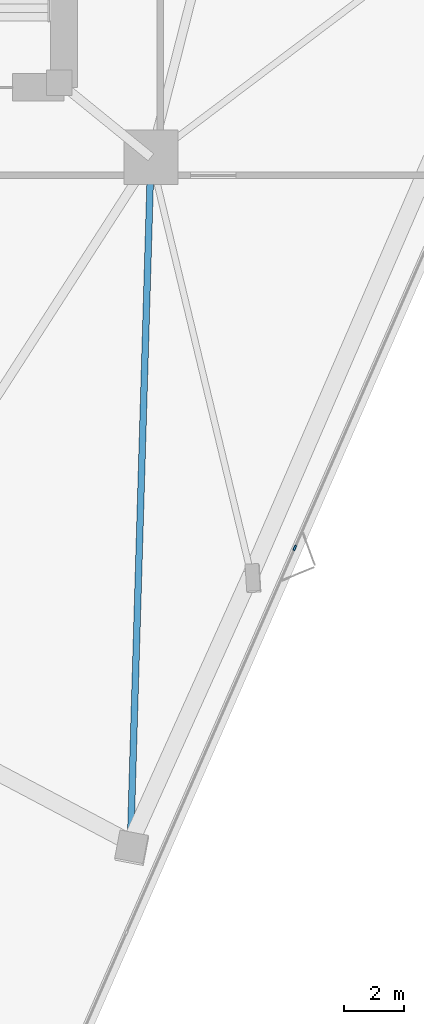
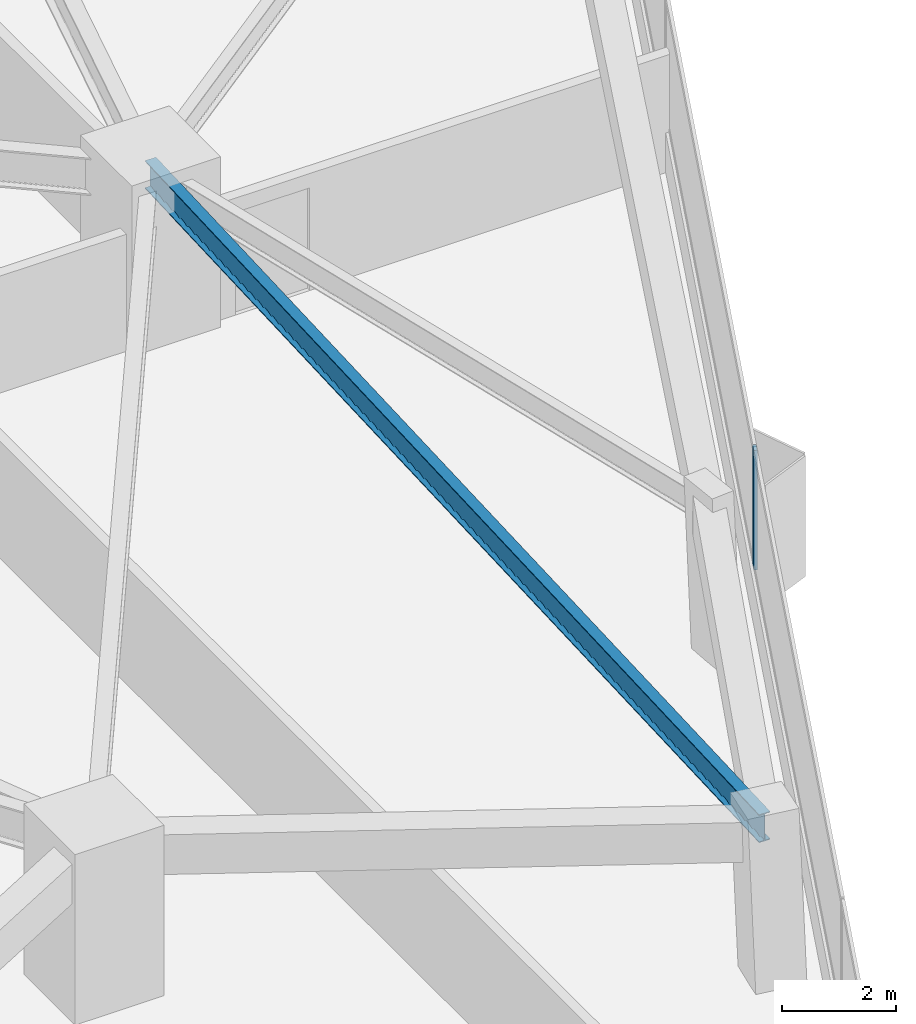
# One storey, part 5 of 21: 1 beam, 1 member, 1 element without a shape of its own.
"""IFC4 building model written with IfcOpenShell, lengths in metres."""

from ifc_helpers import new_model, si_unit, direction, frame, origin, origin_2d, place, context, subcontext, project, spatial, rectangle, i_section, extrude, material, layer, layer_set, material_profile, profile_set, type_object, element, aggregate, save


model = new_model("IFC4")

# Units and contexts
model_context = context("Model", 3, precision=1e-05, world=origin(), true_north=direction((0.0, 1.0)))
body_context = subcontext(model_context, "Body", "Model", "MODEL_VIEW")
ifc_project = project(units=[si_unit("LENGTHUNIT", "METRE"), si_unit("AREAUNIT", "SQUARE_METRE"), si_unit("VOLUMEUNIT", "CUBIC_METRE"), si_unit("PLANEANGLEUNIT", "RADIAN"), si_unit("MASSUNIT", "GRAM", prefix="KILO")], contexts=[model_context])

# Site, building, storey
site_placement = place(None, origin())
site = spatial("IfcSite", under=ifc_project, at=site_placement, CompositionType="ELEMENT")
building_placement = place(site_placement, origin())
building = spatial("IfcBuilding", under=site, at=building_placement, Name="Talyreon Biosciences Tower", CompositionType="ELEMENT")
storey_placement = place(building_placement, frame((0.0, 0.0, 55.64990234375)))
storey = spatial("IfcBuildingStorey", under=building, at=storey_placement, Name="L14", CompositionType="ELEMENT", Elevation=55.64990234375)

# Curtain wall, member
ifc_material_1 = material(Name="Thermally broken aluminium and low-E glazing", Category="aluminium")
ifc_layer = layer(ifc_material_1, 0.195068359375)
ifc_layer_set = layer_set([ifc_layer], Name="Thermally broken aluminium and low-E glazing")
curtain_wall_type = type_object("IfcCurtainWallType", Name="CurtainWall_Zone1WetLab", PredefinedType="NOTDEFINED", material=ifc_layer_set)
curtain_wall_placement = place(storey_placement, origin())
curtain_wall = element("IfcCurtainWall", 1, at=curtain_wall_placement, inside=storey, type_object=curtain_wall_type, Name="L14 Unitised Curtain Wall FCW-L14-08", PredefinedType="NOTDEFINED")
ifc_material_2 = material(Name="Anodised thermally broken aluminium", Category="aluminium")
ifc_material_profile_1 = material_profile(ifc_material_2, rectangle(XDim=0.06494140625, YDim=0.179931640625, at=origin_2d()), Name="ALUM MULLION 65x180")
ifc_profile_set_1 = profile_set([ifc_material_profile_1], Name="Anodised thermally broken aluminium")
member_type = type_object("IfcMemberType", Name="CWMullion_65x180", PredefinedType="MULLION", material=ifc_profile_set_1)
member_placement = place(storey_placement, frame((81.8564453125, 45.933837890625, 0.81005859375), z_axis=(0.0, 0.0, 1.0), x_axis=(0.916092182361, -0.400967721165, 0.0)))
member = element("IfcMember", 2, at=member_placement, type_object=member_type, Name="CW2 mullion 4", PredefinedType="MULLION", context=body_context, shape_type="SweptSolid", body=[
    extrude(rectangle(XDim=0.06494140625, YDim=0.179931640625, at=origin_2d()), origin(), (0.0, 0.0, 1.0), 2.56494140625),
])
aggregate(curtain_wall, [member])

# Beam
ifc_material_3 = material(Name="Steel SM355", Category="steel")
ifc_material_profile_2 = material_profile(ifc_material_3, i_section(OverallWidth=0.219970703125, OverallDepth=0.60009765625, WebThickness=0.011962890625, FlangeThickness=0.01904296875, FilletRadius=0.02392578125, at=origin_2d()), Name="IPE600")
ifc_profile_set_2 = profile_set([ifc_material_profile_2], Name="Steel SM355")
beam_type = type_object("IfcBeamType", Name="SteelJoist_IPE600", PredefinedType="JOIST", material=ifc_profile_set_2)
beam_placement = place(storey_placement, frame((77.086181640625, 58.88037109375, 3.0751953125), z_axis=(-0.029749690473, -0.999557380002, 0.0), x_axis=(0.999557380002, -0.029749690473, 0.0)))
element("IfcBeam", 3, at=beam_placement, inside=storey, type_object=beam_type, Name="L14 Radial Composite Floor Joist PC-SE1", PredefinedType="JOIST", context=body_context, shape_type="SweptSolid", body=[
    extrude(i_section(OverallWidth=0.219970703125, OverallDepth=0.60009765625, WebThickness=0.011962890625, FlangeThickness=0.01904296875, FilletRadius=0.02392578125, at=origin_2d()), origin(), (0.0, 0.0, 1.0), 22.73193359375),
])

save(model, "model.ifc")
